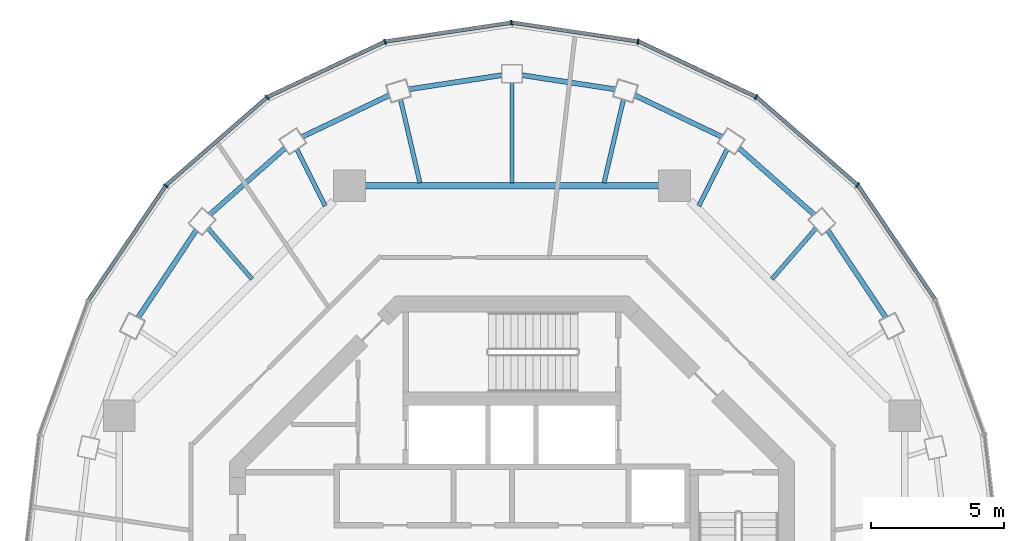
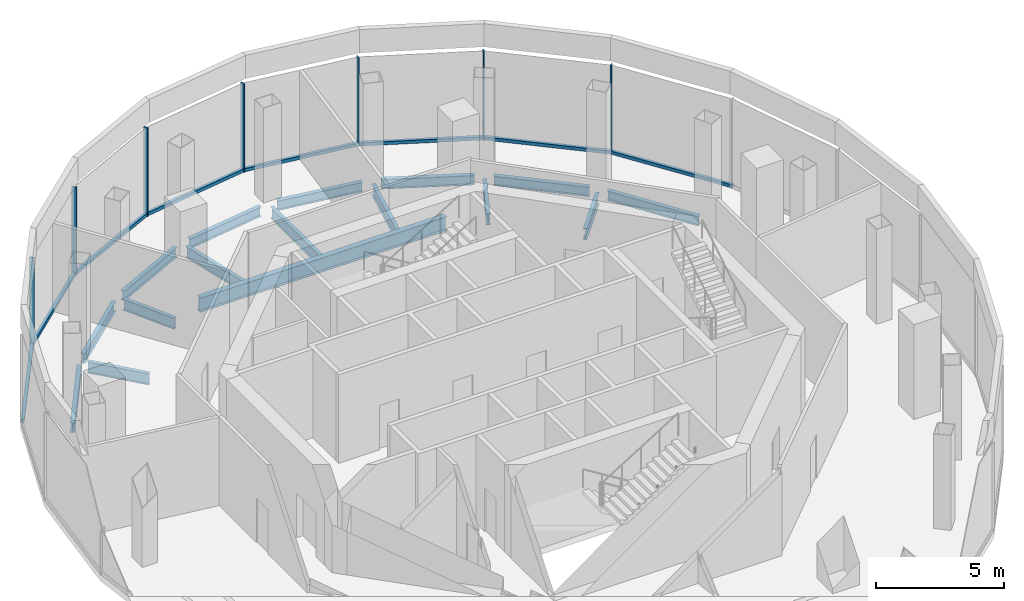
# One storey, part 5 of 11: 16 beams, 15 members, 8 elements without a shape of their own.
"""IFC4 building model written with IfcOpenShell, lengths in metres."""

from ifc_helpers import new_model, si_unit, direction, frame, origin, origin_2d, place, context, subcontext, project, spatial, rectangle, i_section, extrude, material, layer, layer_set, material_profile, profile_set, type_object, element, aggregate, save


model = new_model("IFC4")

# Units and contexts
model_context = context("Model", 3, precision=1e-05, world=origin(), true_north=direction((0.0, 1.0)))
body_context = subcontext(model_context, "Body", "Model", "MODEL_VIEW")
ifc_project = project(units=[si_unit("LENGTHUNIT", "METRE"), si_unit("AREAUNIT", "SQUARE_METRE"), si_unit("VOLUMEUNIT", "CUBIC_METRE"), si_unit("PLANEANGLEUNIT", "RADIAN"), si_unit("MASSUNIT", "GRAM", prefix="KILO")], contexts=[model_context])

# Site, building, storey
site_placement = place(None, origin())
site = spatial("IfcSite", under=ifc_project, at=site_placement, CompositionType="ELEMENT")
building_placement = place(site_placement, origin())
building = spatial("IfcBuilding", under=site, at=building_placement, Name="Nagisa Residences", CompositionType="ELEMENT")
storey_placement = place(building_placement, frame((0.0, 0.0, 320.39990234375)))
storey = spatial("IfcBuildingStorey", under=building, at=storey_placement, Name="L79", CompositionType="ELEMENT", Elevation=320.39990234375)

# Curtain wall, member
ifc_material_1 = material(Name="Aluminium curtain wall system", Category="aluminium")
ifc_layer = layer(ifc_material_1, 0.159912109375)
ifc_layer_set = layer_set([ifc_layer], Name="CW4 CURTAIN WALL")
curtain_wall_type = type_object("IfcCurtainWallType", Name="CW4 CURTAIN WALL", PredefinedType="NOTDEFINED", material=ifc_layer_set)
curtain_wall_1_placement = place(storey_placement, origin())
curtain_wall_1 = element("IfcCurtainWall", 1, at=curtain_wall_1_placement, inside=storey, type_object=curtain_wall_type, Name="cw:CW4:L79:03", PredefinedType="NOTDEFINED")
ifc_material_2 = material(Name="Aluminium", Category="aluminium")
ifc_material_profile_1 = material_profile(ifc_material_2, rectangle(XDim=0.199951171875, YDim=0.06005859375, at=origin_2d()), Name="CW4 MULLION 200x60")
ifc_profile_set_1 = profile_set([ifc_material_profile_1], Name="Aluminium")
member_type_1 = type_object("IfcMemberType", Name="CW4 MULLION 200x60", PredefinedType="MULLION", material=ifc_profile_set_1)
member_1_placement = place(storey_placement, frame((13.00634765625, 14.80859375, 0.0), z_axis=(0.0, 0.0, 1.0), x_axis=(-0.656803076821, -0.754062144839, 0.0)))
member_1 = element("IfcMember", 2, at=member_1_placement, type_object=member_type_1, Name="CW4 mullion", PredefinedType="MULLION", context=body_context, shape_type="SweptSolid", body=[
    extrude(rectangle(XDim=0.199951171875, YDim=0.06005859375, at=origin_2d()), origin(), (0.0, 0.0, 1.0), 4.2001953125),
])

curtain_wall_2_placement = place(storey_placement, origin())
curtain_wall_2 = element("IfcCurtainWall", 3, at=curtain_wall_2_placement, inside=storey, type_object=curtain_wall_type, Name="cw:CW4:L79:04", PredefinedType="NOTDEFINED")
member_2_placement = place(storey_placement, frame((9.188720703125, 18.126953125, 0.0), z_axis=(0.0, 0.0, 1.0), x_axis=(-0.425500757356, -0.90495806836, 0.0)))
member_2 = element("IfcMember", 4, at=member_2_placement, type_object=member_type_1, Name="CW4 mullion", PredefinedType="MULLION", context=body_context, shape_type="SweptSolid", body=[
    extrude(rectangle(XDim=0.199951171875, YDim=0.06005859375, at=origin_2d()), origin(), (0.0, 0.0, 1.0), 4.2001953125),
])

curtain_wall_3_placement = place(storey_placement, origin())
curtain_wall_3 = element("IfcCurtainWall", 5, at=curtain_wall_3_placement, inside=storey, type_object=curtain_wall_type, Name="cw:CW4:L79:05", PredefinedType="NOTDEFINED")
member_3_placement = place(storey_placement, frame((4.74658203125, 20.209716796875, 0.0), z_axis=(0.0, 0.0, 1.0), x_axis=(-0.147802033939, -0.989016965862, 0.0)))
member_3 = element("IfcMember", 6, at=member_3_placement, type_object=member_type_1, Name="CW4 mullion", PredefinedType="MULLION", context=body_context, shape_type="SweptSolid", body=[
    extrude(rectangle(XDim=0.199951171875, YDim=0.06005859375, at=origin_2d()), origin(), (0.0, 0.0, 1.0), 4.2001953125),
])

curtain_wall_4_placement = place(storey_placement, origin())
curtain_wall_4 = element("IfcCurtainWall", 7, at=curtain_wall_4_placement, inside=storey, type_object=curtain_wall_type, Name="cw:CW4:L79:06", PredefinedType="NOTDEFINED")
member_4_placement = place(storey_placement, frame((-0.017822265625, 20.91650390625, 0.0), z_axis=(0.0, 0.0, 1.0), x_axis=(0.147802033939, -0.989016965862, 0.0)))
member_4 = element("IfcMember", 8, at=member_4_placement, type_object=member_type_1, Name="CW4 mullion", PredefinedType="MULLION", context=body_context, shape_type="SweptSolid", body=[
    extrude(rectangle(XDim=0.199951171875, YDim=0.06005859375, at=origin_2d()), origin(), (0.0, 0.0, 1.0), 4.2001953125),
])

curtain_wall_5_placement = place(storey_placement, origin())
curtain_wall_5 = element("IfcCurtainWall", 9, at=curtain_wall_5_placement, inside=storey, type_object=curtain_wall_type, Name="cw:CW4:L79:07", PredefinedType="NOTDEFINED")
member_5_placement = place(storey_placement, frame((-4.78125, 20.19921875, 0.0), z_axis=(0.0, 0.0, 1.0), x_axis=(0.425500757356, -0.90495806836, 0.0)))
member_5 = element("IfcMember", 10, at=member_5_placement, type_object=member_type_1, Name="CW4 mullion", PredefinedType="MULLION", context=body_context, shape_type="SweptSolid", body=[
    extrude(rectangle(XDim=0.199951171875, YDim=0.06005859375, at=origin_2d()), origin(), (0.0, 0.0, 1.0), 4.2001953125),
])

curtain_wall_6_placement = place(storey_placement, origin())
curtain_wall_6 = element("IfcCurtainWall", 11, at=curtain_wall_6_placement, inside=storey, type_object=curtain_wall_type, Name="cw:CW4:L79:08", PredefinedType="NOTDEFINED")
member_6_placement = place(storey_placement, frame((-9.219970703125, 18.1064453125, 0.0), z_axis=(0.0, 0.0, 1.0), x_axis=(0.656803076821, -0.754062144839, 0.0)))
member_6 = element("IfcMember", 12, at=member_6_placement, type_object=member_type_1, Name="CW4 mullion", PredefinedType="MULLION", context=body_context, shape_type="SweptSolid", body=[
    extrude(rectangle(XDim=0.199951171875, YDim=0.06005859375, at=origin_2d()), origin(), (0.0, 0.0, 1.0), 4.2001953125),
])

curtain_wall_7_placement = place(storey_placement, origin())
curtain_wall_7 = element("IfcCurtainWall", 13, at=curtain_wall_7_placement, inside=storey, type_object=curtain_wall_type, Name="cw:CW4:L79:09", PredefinedType="NOTDEFINED")
member_7_placement = place(storey_placement, frame((-13.031982421875, 14.779541015625, 0.0), z_axis=(0.0, 0.0, 1.0), x_axis=(0.828472554652, -0.560029665453, 0.0)))
member_7 = element("IfcMember", 14, at=member_7_placement, type_object=member_type_1, Name="CW4 mullion", PredefinedType="MULLION", context=body_context, shape_type="SweptSolid", body=[
    extrude(rectangle(XDim=0.199951171875, YDim=0.06005859375, at=origin_2d()), origin(), (0.0, 0.0, 1.0), 4.2001953125),
])

curtain_wall_8_placement = place(storey_placement, origin())
curtain_wall_8 = element("IfcCurtainWall", 15, at=curtain_wall_8_placement, inside=storey, type_object=curtain_wall_type, Name="cw:CW4:L79:02", PredefinedType="NOTDEFINED")
ifc_material_3 = material(Name="Aluminium", Category="aluminium")
ifc_material_profile_2 = material_profile(ifc_material_3, rectangle(XDim=0.139892578125, YDim=0.14990234375, at=origin_2d()), Name="CW4 TRANSOM 140x150")
ifc_profile_set_2 = profile_set([ifc_material_profile_2], Name="Aluminium")
member_type_2 = type_object("IfcMemberType", Name="CW4 TRANSOM 140x150", PredefinedType="USERDEFINED", material=ifc_profile_set_2)
member_8_placement = place(storey_placement, frame((15.955078125, 10.455078125, 0.0751953125), z_axis=(-0.560011865881, 0.828484586503, 0.0), x_axis=(-0.828484586503, -0.560011865881, 0.0)))
member_8 = element("IfcMember", 16, at=member_8_placement, type_object=member_type_2, Name="CW4 transom", ObjectType="TRANSOM", PredefinedType="USERDEFINED", context=body_context, shape_type="SweptSolid", body=[
    extrude(rectangle(XDim=0.139892578125, YDim=0.14990234375, at=origin_2d()), origin(), (0.0, 0.0, 1.0), 5.249755859375),
])
aggregate(curtain_wall_8, [member_8])

# Member
member_9_placement = place(storey_placement, frame((13.029052734375, 14.788818359375, 0.0751953125), z_axis=(-0.754057031444, 0.656808947358, 0.0), x_axis=(-0.656808947358, -0.754057031444, 0.0)))
member_9 = element("IfcMember", 17, at=member_9_placement, type_object=member_type_2, Name="CW4 transom", ObjectType="TRANSOM", PredefinedType="USERDEFINED", context=body_context, shape_type="SweptSolid", body=[
    extrude(rectangle(XDim=0.139892578125, YDim=0.14990234375, at=origin_2d()), origin(), (0.0, 0.0, 1.0), 5.081298828125),
])

aggregate(curtain_wall_1, [member_1, member_9])

member_10_placement = place(storey_placement, frame((9.216064453125, 18.1142578125, 0.0751953125), z_axis=(-0.904961168887, 0.425494163069, 0.0), x_axis=(-0.425494163069, -0.904961168887, 0.0)))
member_10 = element("IfcMember", 18, at=member_10_placement, type_object=member_type_2, Name="CW4 transom", ObjectType="TRANSOM", PredefinedType="USERDEFINED", context=body_context, shape_type="SweptSolid", body=[
    extrude(rectangle(XDim=0.139892578125, YDim=0.14990234375, at=origin_2d()), origin(), (0.0, 0.0, 1.0), 4.930419921875),
])

aggregate(curtain_wall_2, [member_2, member_10])

member_11_placement = place(storey_placement, frame((4.7763671875, 20.205322265625, 0.0751953125), z_axis=(-0.989016106921, 0.147807781429, 0.0), x_axis=(-0.147807781429, -0.989016106921, 0.0)))
member_11 = element("IfcMember", 19, at=member_11_placement, type_object=member_type_2, Name="CW4 transom", ObjectType="TRANSOM", PredefinedType="USERDEFINED", context=body_context, shape_type="SweptSolid", body=[
    extrude(rectangle(XDim=0.139892578125, YDim=0.14990234375, at=origin_2d()), origin(), (0.0, 0.0, 1.0), 4.84130859375),
])

aggregate(curtain_wall_3, [member_3, member_11])

member_12_placement = place(storey_placement, frame((0.01171875, 20.9208984375, 0.0751953125), z_axis=(-0.989016106921, -0.147807781429, 0.0), x_axis=(0.147807781429, -0.989016106921, 0.0)))
member_12 = element("IfcMember", 20, at=member_12_placement, type_object=member_type_2, Name="CW4 transom", ObjectType="TRANSOM", PredefinedType="USERDEFINED", context=body_context, shape_type="SweptSolid", body=[
    extrude(rectangle(XDim=0.139892578125, YDim=0.14990234375, at=origin_2d()), origin(), (0.0, 0.0, 1.0), 4.84130859375),
])

aggregate(curtain_wall_4, [member_4, member_12])

member_13_placement = place(storey_placement, frame((-4.754150390625, 20.212158203125, 0.0751953125), z_axis=(-0.904961168887, -0.425494163069, 0.0), x_axis=(0.425494163069, -0.904961168887, 0.0)))
member_13 = element("IfcMember", 21, at=member_13_placement, type_object=member_type_2, Name="CW4 transom", ObjectType="TRANSOM", PredefinedType="USERDEFINED", context=body_context, shape_type="SweptSolid", body=[
    extrude(rectangle(XDim=0.139892578125, YDim=0.14990234375, at=origin_2d()), origin(), (0.0, 0.0, 1.0), 4.930419921875),
])

aggregate(curtain_wall_5, [member_5, member_13])

member_14_placement = place(storey_placement, frame((-9.197509765625, 18.126220703125, 0.0751953125), z_axis=(-0.754057031444, -0.656808947358, 0.0), x_axis=(0.656808947358, -0.754057031444, 0.0)))
member_14 = element("IfcMember", 22, at=member_14_placement, type_object=member_type_2, Name="CW4 transom", ObjectType="TRANSOM", PredefinedType="USERDEFINED", context=body_context, shape_type="SweptSolid", body=[
    extrude(rectangle(XDim=0.139892578125, YDim=0.14990234375, at=origin_2d()), origin(), (0.0, 0.0, 1.0), 5.081298828125),
])

aggregate(curtain_wall_6, [member_6, member_14])

member_15_placement = place(storey_placement, frame((-13.01513671875, 14.804443359375, 0.0751953125), z_axis=(-0.560011865881, -0.828484586503, 0.0), x_axis=(0.828484586503, -0.560011865881, 0.0)))
member_15 = element("IfcMember", 23, at=member_15_placement, type_object=member_type_2, Name="CW4 transom", ObjectType="TRANSOM", PredefinedType="USERDEFINED", context=body_context, shape_type="SweptSolid", body=[
    extrude(rectangle(XDim=0.139892578125, YDim=0.14990234375, at=origin_2d()), origin(), (0.0, 0.0, 1.0), 5.249755859375),
])

aggregate(curtain_wall_7, [member_7, member_15])

# Beams
ifc_material_4 = material(Name="Steel ASTM A572 Gr 50", Category="steel")
ifc_material_profile_3 = material_profile(ifc_material_4, i_section(OverallWidth=0.2529296875, OverallDepth=0.677978515625, WebThickness=0.01171875, FlangeThickness=0.016357421875, at=origin_2d()), Name="W690x125")
ifc_profile_set_3 = profile_set([ifc_material_profile_3], Name="Steel ASTM A572 Gr 50")
beam_type_1 = type_object("IfcBeamType", Name="Inner ring beam W690x125", PredefinedType="BEAM", material=ifc_profile_set_3)
beam_1_placement = place(storey_placement, frame((5.54296875, 14.781982421875, -0.638916015625), z_axis=(-1.0, 0.0, 0.0), x_axis=(0.0, -1.0, 0.0)))
element("IfcBeam", 24, at=beam_1_placement, inside=storey, type_object=beam_type_1, Name="beam:L79:ib2", PredefinedType="BEAM", context=body_context, shape_type="SweptSolid", body=[
    extrude(i_section(OverallWidth=0.2529296875, OverallDepth=0.677978515625, WebThickness=0.01171875, FlangeThickness=0.016357421875, at=origin_2d()), origin(), (0.0, 0.0, 1.0), 11.0859375),
])
ifc_material_5 = material(Name="Steel ASTM A572 Gr 50", Category="steel")
ifc_material_profile_4 = material_profile(ifc_material_5, i_section(OverallWidth=0.18994140625, OverallDepth=0.45703125, WebThickness=0.009033203125, FlangeThickness=0.014404296875, at=origin_2d()), Name="W460x74")
ifc_profile_set_4 = profile_set([ifc_material_profile_4], Name="Steel ASTM A572 Gr 50")
beam_type_2 = type_object("IfcBeamType", Name="Perimeter ring beam W460x74", PredefinedType="BEAM", material=ifc_profile_set_4)
beam_2_placement = place(storey_placement, frame((14.0771484375, 9.818603515625, -0.5283203125), z_axis=(-0.554529560082, 0.832164026497, 0.0), x_axis=(-0.832164026497, -0.554529560082, 0.0)))
element("IfcBeam", 25, at=beam_2_placement, inside=storey, type_object=beam_type_2, Name="beam:L79:pb03", PredefinedType="BEAM", context=body_context, shape_type="SweptSolid", body=[
    extrude(i_section(OverallWidth=0.18994140625, OverallDepth=0.45703125, WebThickness=0.009033203125, FlangeThickness=0.014404296875, at=origin_2d()), origin(), (0.0, 0.0, 1.0), 3.96240234375),
])
beam_3_placement = place(storey_placement, frame((11.3798828125, 13.68896484375, -0.5283203125), z_axis=(-0.749401876552, 0.662115418503, 0.0), x_axis=(-0.662115418503, -0.749401876552, 0.0)))
element("IfcBeam", 26, at=beam_3_placement, inside=storey, type_object=beam_type_2, Name="beam:L79:pb04", PredefinedType="BEAM", context=body_context, shape_type="SweptSolid", body=[
    extrude(i_section(OverallWidth=0.18994140625, OverallDepth=0.45703125, WebThickness=0.009033203125, FlangeThickness=0.014404296875, at=origin_2d()), origin(), (0.0, 0.0, 1.0), 3.792724609375),
])
beam_4_placement = place(storey_placement, frame((7.903564453125, 16.619873046875, -0.5283203125), z_axis=(-0.902613702305, 0.430451512266, 0.0), x_axis=(-0.430451512266, -0.902613702305, 0.0)))
element("IfcBeam", 27, at=beam_4_placement, inside=storey, type_object=beam_type_2, Name="beam:L79:pb05", PredefinedType="BEAM", context=body_context, shape_type="SweptSolid", body=[
    extrude(i_section(OverallWidth=0.18994140625, OverallDepth=0.45703125, WebThickness=0.009033203125, FlangeThickness=0.014404296875, at=origin_2d()), origin(), (0.0, 0.0, 1.0), 3.640625),
])
for number, where, z_axis, x_axis, name in (
    (28, (3.890380859375, 18.41015625, -0.5283203125), (-0.988700067025, 0.149907229525, 0.0), (-0.149907229525, -0.988700067025, 0.0), "beam:L79:pb06"),
    (29, (-0.380126953125, 18.9423828125, -0.5283203125), (-0.988700067025, -0.149907229525, 0.0), (0.149907229525, -0.988700067025, 0.0), "beam:L79:pb07"),
):
    element("IfcBeam", number, at=place(storey_placement, frame(where, z_axis=z_axis, x_axis=x_axis)), inside=storey, type_object=beam_type_2, Name=name, PredefinedType="BEAM", context=body_context, shape_type="SweptSolid", body=[
        extrude(i_section(OverallWidth=0.18994140625, OverallDepth=0.45703125, WebThickness=0.009033203125, FlangeThickness=0.014404296875, at=origin_2d()), origin(), (0.0, 0.0, 1.0), 3.55029296875),
    ])
beam_5_placement = place(storey_placement, frame((-4.617431640625, 18.18701171875, -0.5283203125), z_axis=(-0.902613702305, -0.430451512266, 0.0), x_axis=(0.430451512266, -0.902613702305, 0.0)))
element("IfcBeam", 30, at=beam_5_placement, inside=storey, type_object=beam_type_2, Name="beam:L79:pb08", PredefinedType="BEAM", context=body_context, shape_type="SweptSolid", body=[
    extrude(i_section(OverallWidth=0.18994140625, OverallDepth=0.45703125, WebThickness=0.009033203125, FlangeThickness=0.014404296875, at=origin_2d()), origin(), (0.0, 0.0, 1.0), 3.640625),
])
beam_6_placement = place(storey_placement, frame((-8.53759765625, 16.2001953125, -0.5283203125), z_axis=(-0.749401876552, -0.662115418503, 0.0), x_axis=(0.662115418503, -0.749401876552, 0.0)))
element("IfcBeam", 31, at=beam_6_placement, inside=storey, type_object=beam_type_2, Name="beam:L79:pb09", PredefinedType="BEAM", context=body_context, shape_type="SweptSolid", body=[
    extrude(i_section(OverallWidth=0.18994140625, OverallDepth=0.45703125, WebThickness=0.009033203125, FlangeThickness=0.014404296875, at=origin_2d()), origin(), (0.0, 0.0, 1.0), 3.792724609375),
])
beam_7_placement = place(storey_placement, frame((-11.8798828125, 13.115966796875, -0.5283203125), z_axis=(-0.554529560082, -0.832164026497, 0.0), x_axis=(0.832164026497, -0.554529560082, 0.0)))
element("IfcBeam", 32, at=beam_7_placement, inside=storey, type_object=beam_type_2, Name="beam:L79:pb10", PredefinedType="BEAM", context=body_context, shape_type="SweptSolid", body=[
    extrude(i_section(OverallWidth=0.18994140625, OverallDepth=0.45703125, WebThickness=0.009033203125, FlangeThickness=0.014404296875, at=origin_2d()), origin(), (0.0, 0.0, 1.0), 3.96240234375),
])
ifc_material_6 = material(Name="Steel ASTM A572 Gr 50", Category="steel")
ifc_material_profile_5 = material_profile(ifc_material_6, i_section(OverallWidth=0.166015625, OverallDepth=0.534912109375, WebThickness=0.01025390625, FlangeThickness=0.0166015625, at=origin_2d()), Name="W530x85")
ifc_profile_set_5 = profile_set([ifc_material_profile_5], Name="Steel ASTM A572 Gr 50")
beam_type_3 = type_object("IfcBeamType", Name="Radial beam W530x85", PredefinedType="BEAM", material=ifc_profile_set_5)
beam_8_placement = place(storey_placement, frame((11.44873046875, 13.183349609375, -0.5673828125), z_axis=(-0.655718438616, -0.755005516045, 0.0), x_axis=(0.755005516045, -0.655718438616, 0.0)))
element("IfcBeam", 33, at=beam_8_placement, inside=storey, type_object=beam_type_3, Name="beam:L79:rb04", PredefinedType="BEAM", context=body_context, shape_type="SweptSolid", body=[
    extrude(i_section(OverallWidth=0.166015625, OverallDepth=0.534912109375, WebThickness=0.01025390625, FlangeThickness=0.0166015625, at=origin_2d()), origin(), (0.0, 0.0, 1.0), 2.53515625),
])
beam_9_placement = place(storey_placement, frame((8.10107421875, 16.1572265625, -0.5673828125), z_axis=(-0.448236908276, -0.893914802461, 0.0), x_axis=(0.893914802461, -0.448236908276, 0.0)))
element("IfcBeam", 34, at=beam_9_placement, inside=storey, type_object=beam_type_3, Name="beam:L79:rb05", PredefinedType="BEAM", context=body_context, shape_type="SweptSolid", body=[
    extrude(i_section(OverallWidth=0.166015625, OverallDepth=0.534912109375, WebThickness=0.01025390625, FlangeThickness=0.0166015625, at=origin_2d()), origin(), (0.0, 0.0, 1.0), 2.385009765625),
])
beam_10_placement = place(storey_placement, frame((4.195556640625, 18.0302734375, -0.5673828125), z_axis=(-0.226650446588, -0.973976167604, 0.0), x_axis=(0.973976167604, -0.226650446588, 0.0)))
element("IfcBeam", 35, at=beam_10_placement, inside=storey, type_object=beam_type_3, Name="beam:L79:rb06", PredefinedType="BEAM", context=body_context, shape_type="SweptSolid", body=[
    extrude(i_section(OverallWidth=0.166015625, OverallDepth=0.534912109375, WebThickness=0.01025390625, FlangeThickness=0.0166015625, at=origin_2d()), origin(), (0.0, 0.0, 1.0), 3.22509765625),
])
beam_11_placement = place(storey_placement, frame((0.0, 18.669921875, -0.5673828125), z_axis=(0.0, -1.0, 0.0), x_axis=(1.0, 0.0, 0.0)))
element("IfcBeam", 36, at=beam_11_placement, inside=storey, type_object=beam_type_3, Name="beam:L79:rb07", PredefinedType="BEAM", context=body_context, shape_type="SweptSolid", body=[
    extrude(i_section(OverallWidth=0.166015625, OverallDepth=0.534912109375, WebThickness=0.01025390625, FlangeThickness=0.0166015625, at=origin_2d()), origin(), (0.0, 0.0, 1.0), 3.78125),
])
beam_12_placement = place(storey_placement, frame((-4.195556640625, 18.0302734375, -0.5673828125), z_axis=(0.226650446588, -0.973976167604, 0.0), x_axis=(0.973976167604, 0.226650446588, 0.0)))
element("IfcBeam", 37, at=beam_12_placement, inside=storey, type_object=beam_type_3, Name="beam:L79:rb08", PredefinedType="BEAM", context=body_context, shape_type="SweptSolid", body=[
    extrude(i_section(OverallWidth=0.166015625, OverallDepth=0.534912109375, WebThickness=0.01025390625, FlangeThickness=0.0166015625, at=origin_2d()), origin(), (0.0, 0.0, 1.0), 3.22509765625),
])
beam_13_placement = place(storey_placement, frame((-8.10107421875, 16.1572265625, -0.5673828125), z_axis=(0.448236908276, -0.893914802461, 0.0), x_axis=(0.893914802461, 0.448236908276, 0.0)))
element("IfcBeam", 38, at=beam_13_placement, inside=storey, type_object=beam_type_3, Name="beam:L79:rb09", PredefinedType="BEAM", context=body_context, shape_type="SweptSolid", body=[
    extrude(i_section(OverallWidth=0.166015625, OverallDepth=0.534912109375, WebThickness=0.01025390625, FlangeThickness=0.0166015625, at=origin_2d()), origin(), (0.0, 0.0, 1.0), 2.385009765625),
])
beam_14_placement = place(storey_placement, frame((-11.44873046875, 13.183349609375, -0.5673828125), z_axis=(0.655718438616, -0.755005516045, 0.0), x_axis=(0.755005516045, 0.655718438616, 0.0)))
element("IfcBeam", 39, at=beam_14_placement, inside=storey, type_object=beam_type_3, Name="beam:L79:rb10", PredefinedType="BEAM", context=body_context, shape_type="SweptSolid", body=[
    extrude(i_section(OverallWidth=0.166015625, OverallDepth=0.534912109375, WebThickness=0.01025390625, FlangeThickness=0.0166015625, at=origin_2d()), origin(), (0.0, 0.0, 1.0), 2.53515625),
])

save(model, "model.ifc")
